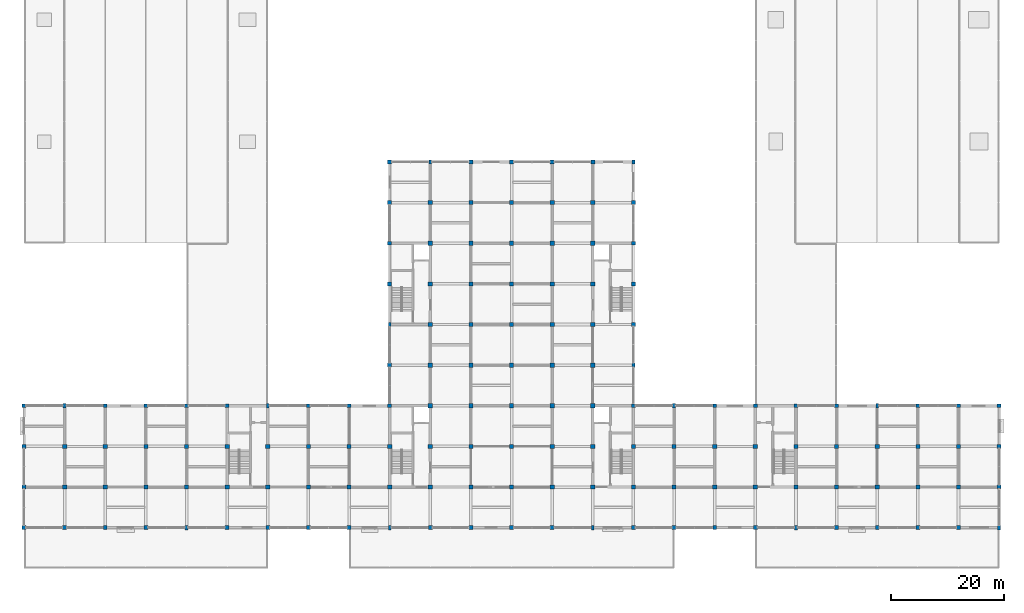
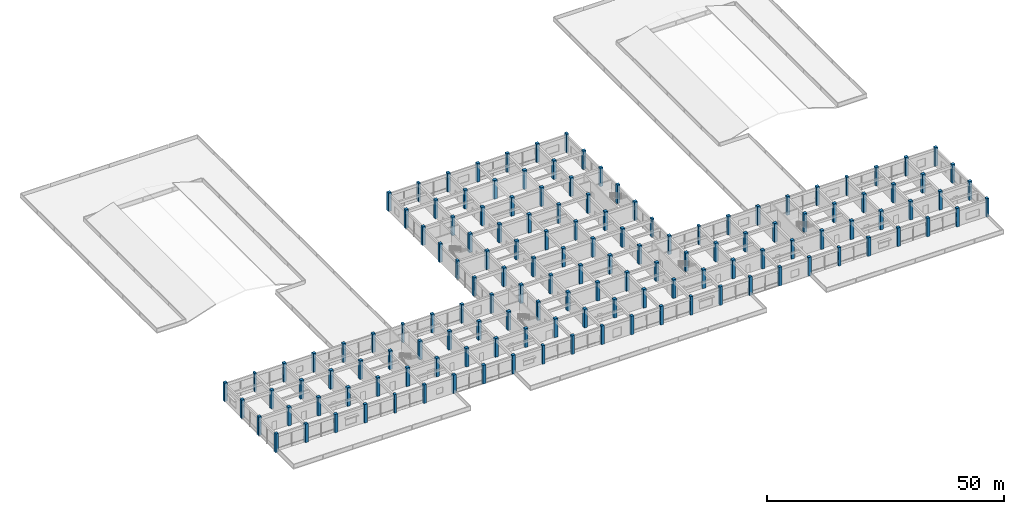
# One storey, part 1 of 30: 142 columns.
"""IFC4 building model written with IfcOpenShell, lengths in metres."""

from ifc_helpers import new_model, si_unit, direction, frame, origin, origin_2d, place, context, subcontext, project, spatial, rectangle, extrude, material, material_profile, profile_set, type_object, element, save


model = new_model("IFC4")

# Units and contexts
model_context = context("Model", 3, precision=1e-05, world=origin(), true_north=direction((0.0, 1.0)))
body_context = subcontext(model_context, "Body", "Model", "MODEL_VIEW")
ifc_project = project(units=[si_unit("LENGTHUNIT", "METRE"), si_unit("AREAUNIT", "SQUARE_METRE"), si_unit("VOLUMEUNIT", "CUBIC_METRE"), si_unit("PLANEANGLEUNIT", "RADIAN"), si_unit("MASSUNIT", "GRAM", prefix="KILO")], contexts=[model_context])

# Site, building, storey
site_placement = place(None, origin())
site = spatial("IfcSite", under=ifc_project, at=site_placement, CompositionType="ELEMENT")
building_placement = place(site_placement, origin())
building = spatial("IfcBuilding", under=site, at=building_placement, Name="Cendaluz Park School", CompositionType="ELEMENT")
storey_placement = place(building_placement, frame((0.0, 0.0, 9.60009765625)))
storey = spatial("IfcBuildingStorey", under=building, at=storey_placement, Name="L02", CompositionType="ELEMENT", Elevation=9.60009765625)

# Columns
ifc_material = material(Name="Concrete C40/50", Category="concrete")
ifc_material_profile_1 = material_profile(ifc_material, rectangle(XDim=0.5, YDim=0.75, at=origin_2d()), Name="RC 500x750", Category="concrete")
ifc_profile_set_1 = profile_set([ifc_material_profile_1], Name="Concrete C40/50")
column_type_1 = type_object("IfcColumnType", Name="C-PL01", PredefinedType="PILASTER", material=ifc_profile_set_1)
for number, where, z_axis, x_axis, name in (
    (1, (7.199951171875, 28.800048828125, 0.0), (0.0, 0.0, 1.0), (1.0, 0.0, 0.0), "C-L02-CPL01-008"),
    (2, (28.800048828125, 7.199951171875, 0.0), (0.0, 0.0, 1.0), (1.0, 0.0, 0.0), "C-L02-CPL01-017"),
    (3, (43.199951171875, 28.800048828125, 0.0), (0.0, 0.0, 1.0), (1.0, 0.0, 0.0), "C-L02-CPL01-028"),
    (4, (64.800048828125, 7.199951171875, 0.0), (0.0, 0.0, 1.0), (1.0, 0.0, 0.0), "C-L02-CPL01-037"),
    (5, (64.800048828125, 43.199951171875, 0.0), (0.0, 0.0, 1.0), (1.0, 0.0, 0.0), "C-L02-CPL01-042"),
    (6, (72.0, 72.0, 0.0), (0.0, 0.0, 1.0), (1.0, 0.0, 0.0), "C-L02-CPL01-056"),
    (7, (100.800048828125, 7.199951171875, 0.0), (0.0, 0.0, 1.0), (1.0, 0.0, 0.0), "C-L02-CPL01-087"),
    (8, (108.0, 36.0, 0.0), (0.0, 0.0, 1.0), (1.0, 0.0, 0.0), "C-L02-CPL01-101"),
    (9, (108.0, 72.0, 0.0), (0.0, 0.0, 1.0), (1.0, 0.0, 0.0), "C-L02-CPL01-106"),
    (10, (115.199951171875, 28.800048828125, 0.0), (0.0, 0.0, 1.0), (1.0, 0.0, 0.0), "C-L02-CPL01-110"),
    (11, (136.800048828125, 7.199951171875, 0.0), (0.0, 0.0, 1.0), (1.0, 0.0, 0.0), "C-L02-CPL01-119"),
    (12, (151.199951171875, 28.800048828125, 0.0), (0.0, 0.0, 1.0), (1.0, 0.0, 0.0), "C-L02-CPL01-130"),
    (13, (172.800048828125, 7.199951171875, 0.0), (0.0, 0.0, 1.0), (1.0, 0.0, 0.0), "C-L02-CPL01-139"),
):
    element("IfcColumn", number, at=place(storey_placement, frame(where, z_axis=z_axis, x_axis=x_axis)), inside=storey, type_object=column_type_1, Name=name, PredefinedType="PILASTER", context=body_context, shape_type="SweptSolid", body=[
        extrude(rectangle(XDim=0.5, YDim=0.75, at=origin_2d()), origin(), (0.0, 0.0, 1.0), 4.7998046875),
    ])
ifc_material_profile_2 = material_profile(ifc_material, rectangle(XDim=0.75, YDim=0.75, at=origin_2d()), Name="RC 750x750", Category="concrete")
ifc_profile_set_2 = profile_set([ifc_material_profile_2], Name="Concrete C40/50")
column_type_2 = type_object("IfcColumnType", Name="C-RC03", PredefinedType="COLUMN", material=ifc_profile_set_2)
for number, where, z_axis, x_axis, name in (
    (14, (7.199951171875, 14.39990234375, 0.0), (0.0, 0.0, 1.0), (1.0, 0.0, 0.0), "C-L02-CRC03-006"),
    (15, (7.199951171875, 21.60009765625, 0.0), (0.0, 0.0, 1.0), (1.0, 0.0, 0.0), "C-L02-CRC03-007"),
    (16, (14.39990234375, 14.39990234375, 0.0), (0.0, 0.0, 1.0), (1.0, 0.0, 0.0), "C-L02-CRC03-010"),
    (17, (14.39990234375, 21.60009765625, 0.0), (0.0, 0.0, 1.0), (1.0, 0.0, 0.0), "C-L02-CRC03-011"),
    (18, (21.60009765625, 14.39990234375, 0.0), (0.0, 0.0, 1.0), (1.0, 0.0, 0.0), "C-L02-CRC03-014"),
    (19, (21.60009765625, 21.60009765625, 0.0), (0.0, 0.0, 1.0), (1.0, 0.0, 0.0), "C-L02-CRC03-015"),
    (20, (28.800048828125, 14.39990234375, 0.0), (0.0, 0.0, 1.0), (1.0, 0.0, 0.0), "C-L02-CRC03-018"),
    (21, (28.800048828125, 21.60009765625, 0.0), (0.0, 0.0, 1.0), (1.0, 0.0, 0.0), "C-L02-CRC03-019"),
    (22, (36.0, 14.39990234375, 0.0), (0.0, 0.0, 1.0), (1.0, 0.0, 0.0), "C-L02-CRC03-022"),
    (23, (36.0, 21.60009765625, 0.0), (0.0, 0.0, 1.0), (1.0, 0.0, 0.0), "C-L02-CRC03-023"),
    (24, (43.199951171875, 14.39990234375, 0.0), (0.0, 0.0, 1.0), (1.0, 0.0, 0.0), "C-L02-CRC03-026"),
    (25, (43.199951171875, 21.60009765625, 0.0), (0.0, 0.0, 1.0), (1.0, 0.0, 0.0), "C-L02-CRC03-027"),
    (26, (50.39990234375, 14.39990234375, 0.0), (0.0, 0.0, 1.0), (1.0, 0.0, 0.0), "C-L02-CRC03-030"),
    (27, (50.39990234375, 21.60009765625, 0.0), (0.0, 0.0, 1.0), (1.0, 0.0, 0.0), "C-L02-CRC03-031"),
    (28, (57.60009765625, 14.39990234375, 0.0), (0.0, 0.0, 1.0), (1.0, 0.0, 0.0), "C-L02-CRC03-034"),
    (29, (57.60009765625, 21.60009765625, 0.0), (0.0, 0.0, 1.0), (1.0, 0.0, 0.0), "C-L02-CRC03-035"),
    (30, (64.800048828125, 14.39990234375, 0.0), (0.0, 0.0, 1.0), (1.0, 0.0, 0.0), "C-L02-CRC03-038"),
    (31, (64.800048828125, 21.60009765625, 0.0), (0.0, 0.0, 1.0), (1.0, 0.0, 0.0), "C-L02-CRC03-039"),
    (32, (72.0, 14.39990234375, 0.0), (0.0, 0.0, 1.0), (1.0, 0.0, 0.0), "C-L02-CRC03-048"),
    (33, (72.0, 21.60009765625, 0.0), (0.0, 0.0, 1.0), (1.0, 0.0, 0.0), "C-L02-CRC03-049"),
    (34, (72.0, 28.800048828125, 0.0), (0.0, 0.0, 1.0), (1.0, 0.0, 0.0), "C-L02-CRC03-050"),
    (35, (72.0, 36.0, 0.0), (0.0, 0.0, 1.0), (1.0, 0.0, 0.0), "C-L02-CRC03-051"),
    (36, (72.0, 43.199951171875, 0.0), (0.0, 0.0, 1.0), (1.0, 0.0, 0.0), "C-L02-CRC03-052"),
    (37, (72.0, 50.39990234375, 0.0), (0.0, 0.0, 1.0), (1.0, 0.0, 0.0), "C-L02-CRC03-053"),
    (38, (72.0, 57.60009765625, 0.0), (0.0, 0.0, 1.0), (1.0, 0.0, 0.0), "C-L02-CRC03-054"),
    (39, (72.0, 64.800048828125, 0.0), (0.0, 0.0, 1.0), (1.0, 0.0, 0.0), "C-L02-CRC03-055"),
    (40, (79.199951171875, 14.39990234375, 0.0), (0.0, 0.0, 1.0), (1.0, 0.0, 0.0), "C-L02-CRC03-058"),
    (41, (79.199951171875, 21.60009765625, 0.0), (0.0, 0.0, 1.0), (1.0, 0.0, 0.0), "C-L02-CRC03-059"),
    (42, (79.199951171875, 28.800048828125, 0.0), (0.0, 0.0, 1.0), (1.0, 0.0, 0.0), "C-L02-CRC03-060"),
    (43, (79.199951171875, 36.0, 0.0), (0.0, 0.0, 1.0), (1.0, 0.0, 0.0), "C-L02-CRC03-061"),
    (44, (79.199951171875, 43.199951171875, 0.0), (0.0, 0.0, 1.0), (1.0, 0.0, 0.0), "C-L02-CRC03-062"),
    (45, (79.199951171875, 50.39990234375, 0.0), (0.0, 0.0, 1.0), (1.0, 0.0, 0.0), "C-L02-CRC03-063"),
    (46, (79.199951171875, 57.60009765625, 0.0), (0.0, 0.0, 1.0), (1.0, 0.0, 0.0), "C-L02-CRC03-064"),
    (47, (79.199951171875, 64.800048828125, 0.0), (0.0, 0.0, 1.0), (1.0, 0.0, 0.0), "C-L02-CRC03-065"),
    (48, (86.39990234375, 14.39990234375, 0.0), (0.0, 0.0, 1.0), (1.0, 0.0, 0.0), "C-L02-CRC03-068"),
    (49, (86.39990234375, 21.60009765625, 0.0), (0.0, 0.0, 1.0), (1.0, 0.0, 0.0), "C-L02-CRC03-069"),
    (50, (86.39990234375, 28.800048828125, 0.0), (0.0, 0.0, 1.0), (1.0, 0.0, 0.0), "C-L02-CRC03-070"),
    (51, (86.39990234375, 36.0, 0.0), (0.0, 0.0, 1.0), (1.0, 0.0, 0.0), "C-L02-CRC03-071"),
    (52, (86.39990234375, 43.199951171875, 0.0), (0.0, 0.0, 1.0), (1.0, 0.0, 0.0), "C-L02-CRC03-072"),
    (53, (86.39990234375, 50.39990234375, 0.0), (0.0, 0.0, 1.0), (1.0, 0.0, 0.0), "C-L02-CRC03-073"),
    (54, (86.39990234375, 57.60009765625, 0.0), (0.0, 0.0, 1.0), (1.0, 0.0, 0.0), "C-L02-CRC03-074"),
    (55, (86.39990234375, 64.800048828125, 0.0), (0.0, 0.0, 1.0), (1.0, 0.0, 0.0), "C-L02-CRC03-075"),
    (56, (93.60009765625, 14.39990234375, 0.0), (0.0, 0.0, 1.0), (1.0, 0.0, 0.0), "C-L02-CRC03-078"),
    (57, (93.60009765625, 21.60009765625, 0.0), (0.0, 0.0, 1.0), (1.0, 0.0, 0.0), "C-L02-CRC03-079"),
    (58, (93.60009765625, 28.800048828125, 0.0), (0.0, 0.0, 1.0), (1.0, 0.0, 0.0), "C-L02-CRC03-080"),
    (59, (93.60009765625, 36.0, 0.0), (0.0, 0.0, 1.0), (1.0, 0.0, 0.0), "C-L02-CRC03-081"),
    (60, (93.60009765625, 43.199951171875, 0.0), (0.0, 0.0, 1.0), (1.0, 0.0, 0.0), "C-L02-CRC03-082"),
    (61, (93.60009765625, 50.39990234375, 0.0), (0.0, 0.0, 1.0), (1.0, 0.0, 0.0), "C-L02-CRC03-083"),
    (62, (93.60009765625, 57.60009765625, 0.0), (0.0, 0.0, 1.0), (1.0, 0.0, 0.0), "C-L02-CRC03-084"),
    (63, (93.60009765625, 64.800048828125, 0.0), (0.0, 0.0, 1.0), (1.0, 0.0, 0.0), "C-L02-CRC03-085"),
    (64, (100.800048828125, 14.39990234375, 0.0), (0.0, 0.0, 1.0), (1.0, 0.0, 0.0), "C-L02-CRC03-088"),
    (65, (100.800048828125, 21.60009765625, 0.0), (0.0, 0.0, 1.0), (1.0, 0.0, 0.0), "C-L02-CRC03-089"),
    (66, (100.800048828125, 28.800048828125, 0.0), (0.0, 0.0, 1.0), (1.0, 0.0, 0.0), "C-L02-CRC03-090"),
    (67, (100.800048828125, 36.0, 0.0), (0.0, 0.0, 1.0), (1.0, 0.0, 0.0), "C-L02-CRC03-091"),
    (68, (100.800048828125, 43.199951171875, 0.0), (0.0, 0.0, 1.0), (1.0, 0.0, 0.0), "C-L02-CRC03-092"),
    (69, (100.800048828125, 50.39990234375, 0.0), (0.0, 0.0, 1.0), (1.0, 0.0, 0.0), "C-L02-CRC03-093"),
    (70, (100.800048828125, 57.60009765625, 0.0), (0.0, 0.0, 1.0), (1.0, 0.0, 0.0), "C-L02-CRC03-094"),
    (71, (100.800048828125, 64.800048828125, 0.0), (0.0, 0.0, 1.0), (1.0, 0.0, 0.0), "C-L02-CRC03-095"),
    (72, (108.0, 14.39990234375, 0.0), (0.0, 0.0, 1.0), (1.0, 0.0, 0.0), "C-L02-CRC03-098"),
    (73, (108.0, 21.60009765625, 0.0), (0.0, 0.0, 1.0), (1.0, 0.0, 0.0), "C-L02-CRC03-099"),
    (74, (115.199951171875, 14.39990234375, 0.0), (0.0, 0.0, 1.0), (1.0, 0.0, 0.0), "C-L02-CRC03-108"),
    (75, (115.199951171875, 21.60009765625, 0.0), (0.0, 0.0, 1.0), (1.0, 0.0, 0.0), "C-L02-CRC03-109"),
    (76, (122.39990234375, 14.39990234375, 0.0), (0.0, 0.0, 1.0), (1.0, 0.0, 0.0), "C-L02-CRC03-112"),
    (77, (122.39990234375, 21.60009765625, 0.0), (0.0, 0.0, 1.0), (1.0, 0.0, 0.0), "C-L02-CRC03-113"),
    (78, (129.60009765625, 14.39990234375, 0.0), (0.0, 0.0, 1.0), (1.0, 0.0, 0.0), "C-L02-CRC03-116"),
    (79, (129.60009765625, 21.60009765625, 0.0), (0.0, 0.0, 1.0), (1.0, 0.0, 0.0), "C-L02-CRC03-117"),
    (80, (136.800048828125, 14.39990234375, 0.0), (0.0, 0.0, 1.0), (1.0, 0.0, 0.0), "C-L02-CRC03-120"),
    (81, (136.800048828125, 21.60009765625, 0.0), (0.0, 0.0, 1.0), (1.0, 0.0, 0.0), "C-L02-CRC03-121"),
    (82, (144.0, 14.39990234375, 0.0), (0.0, 0.0, 1.0), (1.0, 0.0, 0.0), "C-L02-CRC03-124"),
    (83, (144.0, 21.60009765625, 0.0), (0.0, 0.0, 1.0), (1.0, 0.0, 0.0), "C-L02-CRC03-125"),
    (84, (151.199951171875, 14.39990234375, 0.0), (0.0, 0.0, 1.0), (1.0, 0.0, 0.0), "C-L02-CRC03-128"),
    (85, (151.199951171875, 21.60009765625, 0.0), (0.0, 0.0, 1.0), (1.0, 0.0, 0.0), "C-L02-CRC03-129"),
    (86, (158.39990234375, 14.39990234375, 0.0), (0.0, 0.0, 1.0), (1.0, 0.0, 0.0), "C-L02-CRC03-132"),
    (87, (158.39990234375, 21.60009765625, 0.0), (0.0, 0.0, 1.0), (1.0, 0.0, 0.0), "C-L02-CRC03-133"),
    (88, (165.60009765625, 14.39990234375, 0.0), (0.0, 0.0, 1.0), (1.0, 0.0, 0.0), "C-L02-CRC03-136"),
    (89, (165.60009765625, 21.60009765625, 0.0), (0.0, 0.0, 1.0), (1.0, 0.0, 0.0), "C-L02-CRC03-137"),
):
    element("IfcColumn", number, at=place(storey_placement, frame(where, z_axis=z_axis, x_axis=x_axis)), inside=storey, type_object=column_type_2, Name=name, PredefinedType="COLUMN", context=body_context, shape_type="SweptSolid", body=[
        extrude(rectangle(XDim=0.75, YDim=0.75, at=origin_2d()), origin(), (0.0, 0.0, 1.0), 4.7998046875),
    ])
ifc_material_profile_3 = material_profile(ifc_material, rectangle(XDim=0.699951171875, YDim=0.699951171875, at=origin_2d()), Name="RC 700x700", Category="concrete")
ifc_profile_set_3 = profile_set([ifc_material_profile_3], Name="Concrete C40/50")
column_type_3 = type_object("IfcColumnType", Name="C-RC04", PredefinedType="COLUMN", material=ifc_profile_set_3)
for number, where, z_axis, x_axis, name in (
    (90, (0.0, 7.199951171875, 0.0), (0.0, 0.0, 1.0), (1.0, 0.0, 0.0), "C-L02-CRC04-001"),
    (91, (0.0, 14.39990234375, 0.0), (0.0, 0.0, 1.0), (1.0, 0.0, 0.0), "C-L02-CRC04-002"),
    (92, (0.0, 21.60009765625, 0.0), (0.0, 0.0, 1.0), (1.0, 0.0, 0.0), "C-L02-CRC04-003"),
    (93, (0.0, 28.800048828125, 0.0), (0.0, 0.0, 1.0), (1.0, 0.0, 0.0), "C-L02-CRC04-004"),
    (94, (7.199951171875, 7.199951171875, 0.0), (0.0, 0.0, 1.0), (1.0, 0.0, 0.0), "C-L02-CRC04-005"),
    (95, (14.39990234375, 7.199951171875, 0.0), (0.0, 0.0, 1.0), (1.0, 0.0, 0.0), "C-L02-CRC04-009"),
    (96, (14.39990234375, 28.800048828125, 0.0), (0.0, 0.0, 1.0), (1.0, 0.0, 0.0), "C-L02-CRC04-012"),
    (97, (21.60009765625, 7.199951171875, 0.0), (0.0, 0.0, 1.0), (1.0, 0.0, 0.0), "C-L02-CRC04-013"),
    (98, (21.60009765625, 28.800048828125, 0.0), (0.0, 0.0, 1.0), (1.0, 0.0, 0.0), "C-L02-CRC04-016"),
    (99, (28.800048828125, 28.800048828125, 0.0), (0.0, 0.0, 1.0), (1.0, 0.0, 0.0), "C-L02-CRC04-020"),
    (100, (36.0, 7.199951171875, 0.0), (0.0, 0.0, 1.0), (1.0, 0.0, 0.0), "C-L02-CRC04-021"),
    (101, (36.0, 28.800048828125, 0.0), (0.0, 0.0, 1.0), (1.0, 0.0, 0.0), "C-L02-CRC04-024"),
    (102, (43.199951171875, 7.199951171875, 0.0), (0.0, 0.0, 1.0), (1.0, 0.0, 0.0), "C-L02-CRC04-025"),
    (103, (50.39990234375, 7.199951171875, 0.0), (0.0, 0.0, 1.0), (1.0, 0.0, 0.0), "C-L02-CRC04-029"),
    (104, (50.39990234375, 28.800048828125, 0.0), (0.0, 0.0, 1.0), (1.0, 0.0, 0.0), "C-L02-CRC04-032"),
    (105, (57.60009765625, 7.199951171875, 0.0), (0.0, 0.0, 1.0), (1.0, 0.0, 0.0), "C-L02-CRC04-033"),
    (106, (57.60009765625, 28.800048828125, 0.0), (0.0, 0.0, 1.0), (1.0, 0.0, 0.0), "C-L02-CRC04-036"),
    (107, (64.800048828125, 28.800048828125, 0.0), (0.0, 0.0, 1.0), (1.0, 0.0, 0.0), "C-L02-CRC04-040"),
    (108, (64.800048828125, 36.0, 0.0), (0.0, 0.0, 1.0), (1.0, 0.0, 0.0), "C-L02-CRC04-041"),
    (109, (64.800048828125, 50.39990234375, 0.0), (0.0, 0.0, 1.0), (1.0, 0.0, 0.0), "C-L02-CRC04-043"),
    (110, (64.800048828125, 57.60009765625, 0.0), (0.0, 0.0, 1.0), (1.0, 0.0, 0.0), "C-L02-CRC04-044"),
    (111, (64.800048828125, 64.800048828125, 0.0), (0.0, 0.0, 1.0), (1.0, 0.0, 0.0), "C-L02-CRC04-045"),
    (112, (64.800048828125, 72.0, 0.0), (0.0, 0.0, 1.0), (1.0, 0.0, 0.0), "C-L02-CRC04-046"),
    (113, (72.0, 7.199951171875, 0.0), (0.0, 0.0, 1.0), (1.0, 0.0, 0.0), "C-L02-CRC04-047"),
    (114, (79.199951171875, 7.199951171875, 0.0), (0.0, 0.0, 1.0), (1.0, 0.0, 0.0), "C-L02-CRC04-057"),
    (115, (79.199951171875, 72.0, 0.0), (0.0, 0.0, 1.0), (1.0, 0.0, 0.0), "C-L02-CRC04-066"),
    (116, (86.39990234375, 7.199951171875, 0.0), (0.0, 0.0, 1.0), (1.0, 0.0, 0.0), "C-L02-CRC04-067"),
    (117, (86.39990234375, 72.0, 0.0), (0.0, 0.0, 1.0), (1.0, 0.0, 0.0), "C-L02-CRC04-076"),
    (118, (93.60009765625, 7.199951171875, 0.0), (0.0, 0.0, 1.0), (1.0, 0.0, 0.0), "C-L02-CRC04-077"),
    (119, (93.60009765625, 72.0, 0.0), (0.0, 0.0, 1.0), (1.0, 0.0, 0.0), "C-L02-CRC04-086"),
    (120, (100.800048828125, 72.0, 0.0), (0.0, 0.0, 1.0), (1.0, 0.0, 0.0), "C-L02-CRC04-096"),
    (121, (108.0, 7.199951171875, 0.0), (0.0, 0.0, 1.0), (1.0, 0.0, 0.0), "C-L02-CRC04-097"),
    (122, (108.0, 28.800048828125, 0.0), (0.0, 0.0, 1.0), (1.0, 0.0, 0.0), "C-L02-CRC04-100"),
    (123, (108.0, 43.199951171875, 0.0), (0.0, 0.0, 1.0), (1.0, 0.0, 0.0), "C-L02-CRC04-102"),
    (124, (108.0, 50.39990234375, 0.0), (0.0, 0.0, 1.0), (1.0, 0.0, 0.0), "C-L02-CRC04-103"),
    (125, (108.0, 57.60009765625, 0.0), (0.0, 0.0, 1.0), (1.0, 0.0, 0.0), "C-L02-CRC04-104"),
    (126, (108.0, 64.800048828125, 0.0), (0.0, 0.0, 1.0), (1.0, 0.0, 0.0), "C-L02-CRC04-105"),
    (127, (115.199951171875, 7.199951171875, 0.0), (0.0, 0.0, 1.0), (1.0, 0.0, 0.0), "C-L02-CRC04-107"),
    (128, (122.39990234375, 7.199951171875, 0.0), (0.0, 0.0, 1.0), (1.0, 0.0, 0.0), "C-L02-CRC04-111"),
    (129, (122.39990234375, 28.800048828125, 0.0), (0.0, 0.0, 1.0), (1.0, 0.0, 0.0), "C-L02-CRC04-114"),
    (130, (129.60009765625, 7.199951171875, 0.0), (0.0, 0.0, 1.0), (1.0, 0.0, 0.0), "C-L02-CRC04-115"),
    (131, (129.60009765625, 28.800048828125, 0.0), (0.0, 0.0, 1.0), (1.0, 0.0, 0.0), "C-L02-CRC04-118"),
    (132, (136.800048828125, 28.800048828125, 0.0), (0.0, 0.0, 1.0), (1.0, 0.0, 0.0), "C-L02-CRC04-122"),
    (133, (144.0, 7.199951171875, 0.0), (0.0, 0.0, 1.0), (1.0, 0.0, 0.0), "C-L02-CRC04-123"),
    (134, (144.0, 28.800048828125, 0.0), (0.0, 0.0, 1.0), (1.0, 0.0, 0.0), "C-L02-CRC04-126"),
    (135, (151.199951171875, 7.199951171875, 0.0), (0.0, 0.0, 1.0), (1.0, 0.0, 0.0), "C-L02-CRC04-127"),
    (136, (158.39990234375, 7.199951171875, 0.0), (0.0, 0.0, 1.0), (1.0, 0.0, 0.0), "C-L02-CRC04-131"),
    (137, (158.39990234375, 28.800048828125, 0.0), (0.0, 0.0, 1.0), (1.0, 0.0, 0.0), "C-L02-CRC04-134"),
    (138, (165.60009765625, 7.199951171875, 0.0), (0.0, 0.0, 1.0), (1.0, 0.0, 0.0), "C-L02-CRC04-135"),
    (139, (165.60009765625, 28.800048828125, 0.0), (0.0, 0.0, 1.0), (1.0, 0.0, 0.0), "C-L02-CRC04-138"),
    (140, (172.800048828125, 14.39990234375, 0.0), (0.0, 0.0, 1.0), (1.0, 0.0, 0.0), "C-L02-CRC04-140"),
    (141, (172.800048828125, 21.60009765625, 0.0), (0.0, 0.0, 1.0), (1.0, 0.0, 0.0), "C-L02-CRC04-141"),
    (142, (172.800048828125, 28.800048828125, 0.0), (0.0, 0.0, 1.0), (1.0, 0.0, 0.0), "C-L02-CRC04-142"),
):
    element("IfcColumn", number, at=place(storey_placement, frame(where, z_axis=z_axis, x_axis=x_axis)), inside=storey, type_object=column_type_3, Name=name, PredefinedType="COLUMN", context=body_context, shape_type="SweptSolid", body=[
        extrude(rectangle(XDim=0.699951171875, YDim=0.699951171875, at=origin_2d()), origin(), (0.0, 0.0, 1.0), 4.7998046875),
    ])

save(model, "model.ifc")
